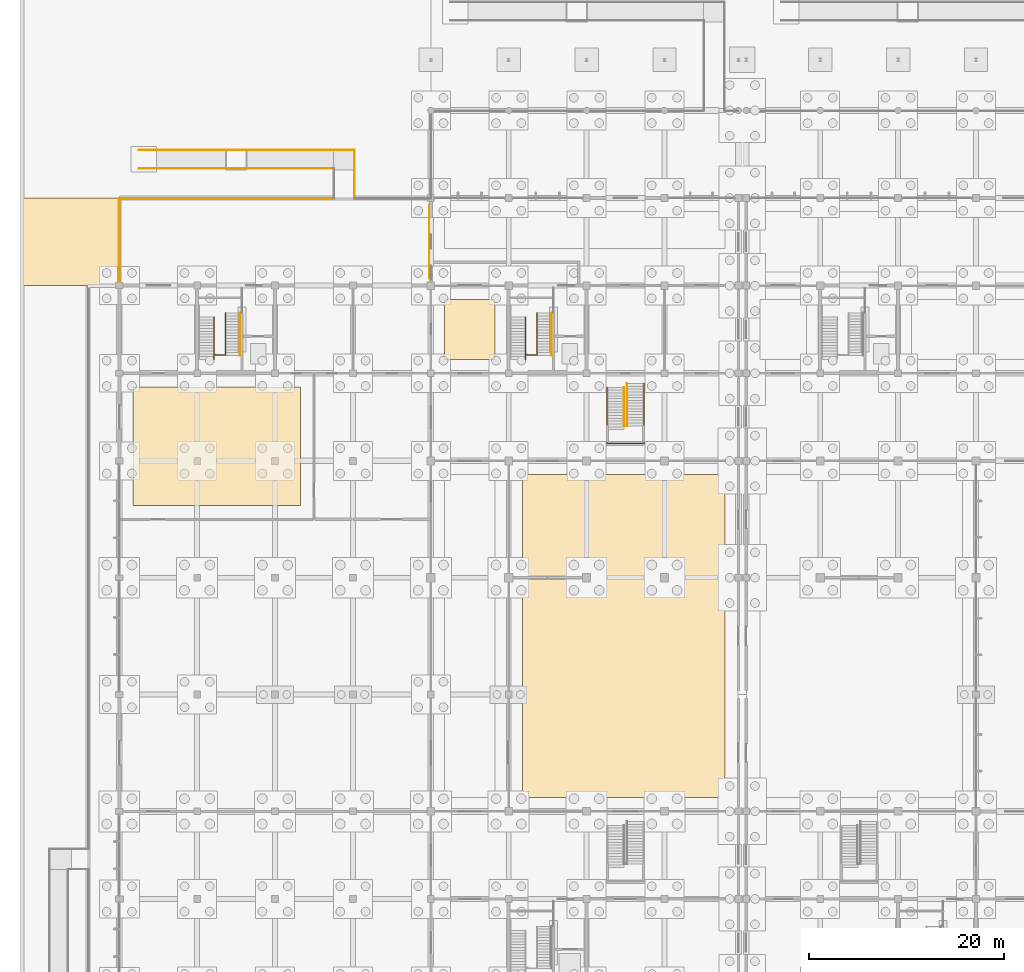
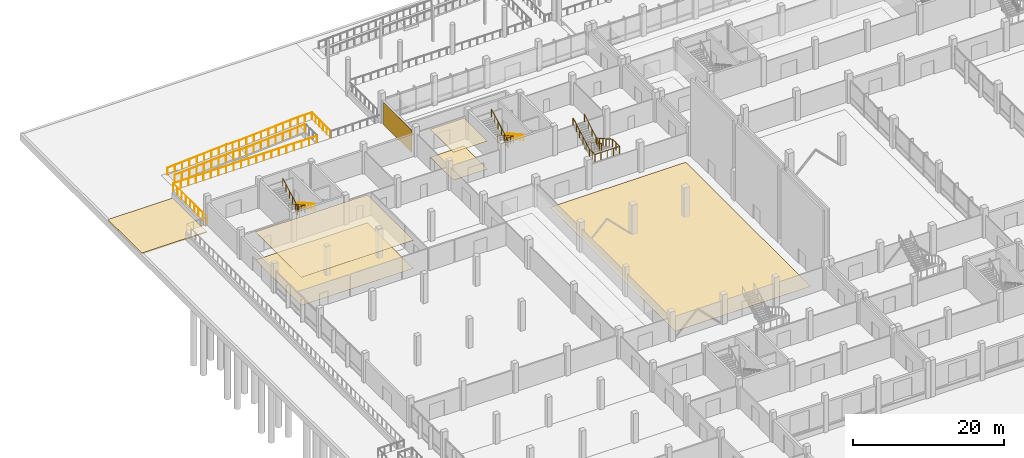
# One storey, part 64 of 72: 9 railings, 7 coverings.
"""IFC4 building model written with IfcOpenShell, lengths in metres."""

from ifc_helpers import new_model, si_unit, direction, frame, origin, origin_2d, place, context, subcontext, project, spatial, polyline, rectangle, circle, outline, extrude, material, layer, layer_set, type_object, element, save


model = new_model("IFC4")

# Units and contexts
model_context = context("Model", 3, precision=1e-05, world=origin(), true_north=direction((0.0, 1.0)))
body_context = subcontext(model_context, "Body", "Model", "MODEL_VIEW")
ifc_project = project(units=[si_unit("LENGTHUNIT", "METRE"), si_unit("AREAUNIT", "SQUARE_METRE"), si_unit("VOLUMEUNIT", "CUBIC_METRE"), si_unit("PLANEANGLEUNIT", "RADIAN"), si_unit("MASSUNIT", "GRAM", prefix="KILO"), si_unit("THERMODYNAMICTEMPERATUREUNIT", "KELVIN"), si_unit("POWERUNIT", "WATT")], contexts=[model_context])

# Site, building, storey
site_placement = place(None, origin())
site = spatial("IfcSite", under=ifc_project, at=site_placement, CompositionType="ELEMENT")
building_placement = place(site_placement, origin())
building = spatial("IfcBuilding", under=site, at=building_placement, Name="Kronsvod Quay Wholesale Market", CompositionType="ELEMENT")
storey_placement = place(building_placement, origin())
storey = spatial("IfcBuildingStorey", under=building, at=storey_placement, Name="L00", CompositionType="ELEMENT", Elevation=0.0)

# Coverings
ifc_material_1 = material(Name="Hygienic washable aluminium baffle ceiling", Category="aluminium")
ifc_layer_1 = layer(ifc_material_1, 0.034912109375)
ifc_layer_set_1 = layer_set([ifc_layer_1], Name="Hygienic washable aluminium baffle ceiling")
covering_type_1 = type_object("IfcCoveringType", Name="Cov_Ceil02", PredefinedType="CEILING", material=ifc_layer_set_1)
covering_1_placement = place(storey_placement, frame((0.0, 0.0, 4.534912109375)))
element("IfcCovering", 1, at=covering_1_placement, inside=storey, type_object=covering_type_1, Name="CLG-SP-L00-V3-05", PredefinedType="CEILING", context=body_context, shape_type="SweptSolid", body=[
    extrude(outline(polyline([(1.39990234375, 85.39990234375), (18.60009765625, 85.39990234375), (18.60009765625, 97.60009765625), (1.39990234375, 97.60009765625), (1.39990234375, 85.39990234375)])), origin(), (0.0, 0.0, 1.0), 0.03515625),
])
ifc_material_2 = material(Name="Moisture-resistant gypsum board ceiling")
ifc_layer_2 = layer(ifc_material_2, 0.02490234375)
ifc_layer_set_2 = layer_set([ifc_layer_2], Name="Moisture-resistant gypsum board ceiling")
covering_type_2 = type_object("IfcCoveringType", Name="Cov_Ceil03", PredefinedType="CEILING", material=ifc_layer_set_2)
covering_2_placement = place(storey_placement, frame((0.0, 0.0, 4.52490234375)))
element("IfcCovering", 2, at=covering_2_placement, inside=storey, type_object=covering_type_2, Name="CLG-SP-L00-V5-04", PredefinedType="CEILING", context=body_context, shape_type="SweptSolid", body=[
    extrude(outline(polyline([(33.39990234375, 100.39990234375), (38.60009765625, 100.39990234375), (38.60009765625, 106.60009765625), (33.39990234375, 106.60009765625), (33.39990234375, 100.39990234375)])), origin(), (0.0, 0.0, 1.0), 0.025146484375),
])
ifc_material_3 = material(Name="Anodised aluminium rainscreen cladding", Category="aluminium")
ifc_layer_3 = layer(ifc_material_3, 0.034912109375)
ifc_layer_set_3 = layer_set([ifc_layer_3], Name="Anodised aluminium rainscreen cladding")
covering_type_3 = type_object("IfcCoveringType", Name="Cov_FacadeCladding", PredefinedType="CLADDING", material=ifc_layer_set_3)
covering_3_placement = place(storey_placement, frame((31.83251953125, 112.5, 0.0), z_axis=(0.0, 0.0, 1.0), x_axis=(1.0, 0.0, 0.0)))
element("IfcCovering", 3, at=covering_3_placement, inside=storey, type_object=covering_type_3, Name="CLD-W-0", PredefinedType="CLADDING", context=body_context, shape_type="SweptSolid", body=[
    extrude(rectangle(XDim=0.034912109375, YDim=7.60009765625, at=origin_2d()), origin(), (0.0, 0.0, 1.0), 3.60009765625),
])
ifc_material_4 = material(Name="Heavy-duty polyurethane resin market screed")
ifc_layer_4 = layer(ifc_material_4, 0.02001953125)
ifc_layer_set_4 = layer_set([ifc_layer_4], Name="Heavy-duty polyurethane resin market screed")
covering_type_4 = type_object("IfcCoveringType", Name="Cov_Floor01", PredefinedType="FLOORING", material=ifc_layer_set_4)
covering_4_placement = place(storey_placement, origin())
element("IfcCovering", 4, at=covering_4_placement, inside=storey, type_object=covering_type_4, Name="FLR-SP-L00-V1-03B", PredefinedType="FLOORING", context=body_context, shape_type="SweptSolid", body=[
    extrude(outline(polyline([(41.39990234375, 55.39990234375), (62.199951171875, 55.39990234375), (62.199951171875, 88.60009765625), (41.39990234375, 88.60009765625), (41.39990234375, 55.39990234375)])), origin(), (0.0, 0.0, 1.0), 0.02001953125),
])
covering_5_placement = place(storey_placement, origin())
element("IfcCovering", 5, at=covering_5_placement, inside=storey, type_object=covering_type_4, Name="FLR-SP-L00-V5-04", PredefinedType="FLOORING", context=body_context, shape_type="SweptSolid", body=[
    extrude(outline(polyline([(33.39990234375, 100.39990234375), (38.60009765625, 100.39990234375), (38.60009765625, 106.60009765625), (33.39990234375, 106.60009765625), (33.39990234375, 100.39990234375)])), origin(), (0.0, 0.0, 1.0), 0.02001953125),
])
ifc_material_5 = material(Name="Antistatic laboratory vinyl flooring")
ifc_layer_5 = layer(ifc_material_5, 0.014892578125)
ifc_layer_set_5 = layer_set([ifc_layer_5], Name="Antistatic laboratory vinyl flooring")
covering_type_5 = type_object("IfcCoveringType", Name="Cov_Floor04", PredefinedType="FLOORING", material=ifc_layer_set_5)
covering_6_placement = place(storey_placement, origin())
element("IfcCovering", 6, at=covering_6_placement, inside=storey, type_object=covering_type_5, Name="FLR-SP-L00-V3-05", PredefinedType="FLOORING", context=body_context, shape_type="SweptSolid", body=[
    extrude(outline(polyline([(1.39990234375, 85.39990234375), (18.60009765625, 85.39990234375), (18.60009765625, 97.60009765625), (1.39990234375, 97.60009765625), (1.39990234375, 85.39990234375)])), origin(), (0.0, 0.0, 1.0), 0.014892578125),
])
ifc_material_6 = material(Name="Natural granite harbour quay paving", Category="masonry")
ifc_layer_6 = layer(ifc_material_6, 0.179931640625)
ifc_layer_set_6 = layer_set([ifc_layer_6], Name="Natural granite harbour quay paving")
covering_type_6 = type_object("IfcCoveringType", Name="Cov_SitePaving160", PredefinedType="USERDEFINED", material=ifc_layer_set_6)
covering_7_placement = place(storey_placement, frame((0.0, 0.0, -1.3798828125)))
element("IfcCovering", 7, at=covering_7_placement, inside=storey, type_object=covering_type_6, Name="PAV-APR-W2", ObjectType="PAVING", PredefinedType="USERDEFINED", context=body_context, shape_type="SweptSolid", body=[
    extrude(outline(polyline([(-10.0, 108.0), (0.0, 108.0), (0.0, 117.0), (-10.0, 117.0), (-10.0, 108.0)])), origin(), (0.0, 0.0, 1.0), 0.179931640625),
])

# Railings
ifc_material_7 = material(Name="Stainless steel", Category="steel")
railing_type_1 = type_object("IfcRailingType", Name="Railing_Guard1200", PredefinedType="GUARDRAIL", material=ifc_material_7)
railing_1_placement = place(storey_placement, frame((2.0, 121.949951171875, -1.199951171875)))
element("IfcRailing", 8, at=railing_1_placement, inside=storey, type_object=railing_type_1, Name="RMP-NW1-GRD1", PredefinedType="GUARDRAIL", context=body_context, shape_type="SweptSolid", body=[
    extrude(circle(Radius=0.02392578125, at=origin_2d()), frame((0.0, 0.0, 1.17578125), z_axis=(0.997786235602, 0.0, 0.066502842363), x_axis=(0.0, 1.0, 0.0)), (0.0, 0.0, 1.0), 9.02001953125),
    extrude(circle(Radius=0.02392578125, at=origin_2d()), frame((9.0, 0.0, 1.77587890625), z_axis=(1.0, 0.0, 0.0), x_axis=(0.0, 1.0, 0.0)), (0.0, 0.0, 1.0), 2.0),
    extrude(circle(Radius=0.02392578125, at=origin_2d()), frame((11.0, 0.0, 1.77587890625), z_axis=(0.997784439215, 0.0, 0.066529789268), x_axis=(0.0, 1.0, 0.0)), (0.0, 0.0, 1.0), 9.02001953125),
    extrude(circle(Radius=0.02392578125, at=origin_2d()), frame((20.0, 0.0, 2.3759765625), z_axis=(1.0, 0.0, 0.0), x_axis=(0.0, 1.0, 0.0)), (0.0, 0.0, 1.0), 2.14990234375),
    extrude(circle(Radius=0.02392578125, at=origin_2d()), frame((22.14990234375, 0.0, 2.3759765625), z_axis=(0.0, -1.0, 0.0), x_axis=(1.0, 0.0, 0.0)), (0.0, 0.0, 1.0), 4.89990234375),
    extrude(circle(Radius=0.02099609375, at=origin_2d()), origin(), (0.0, 0.0, 1.0), 1.15185546875),
    extrude(circle(Radius=0.02099609375, at=origin_2d()), frame((1.125, 0.0, 0.074951171875)), (0.0, 0.0, 1.0), 1.15185546875),
    extrude(circle(Radius=0.02099609375, at=origin_2d()), frame((2.25, 0.0, 0.14990234375)), (0.0, 0.0, 1.0), 1.15185546875),
    extrude(circle(Radius=0.02099609375, at=origin_2d()), frame((3.375, 0.0, 0.224853515625)), (0.0, 0.0, 1.0), 1.15185546875),
    extrude(circle(Radius=0.02099609375, at=origin_2d()), frame((4.5, 0.0, 0.2998046875)), (0.0, 0.0, 1.0), 1.15185546875),
    extrude(circle(Radius=0.02099609375, at=origin_2d()), frame((5.625, 0.0, 0.375)), (0.0, 0.0, 1.0), 1.15185546875),
    extrude(circle(Radius=0.02099609375, at=origin_2d()), frame((6.75, 0.0, 0.449951171875)), (0.0, 0.0, 1.0), 1.15185546875),
    extrude(circle(Radius=0.02099609375, at=origin_2d()), frame((7.875, 0.0, 0.52490234375)), (0.0, 0.0, 1.0), 1.15185546875),
    extrude(circle(Radius=0.02099609375, at=origin_2d()), frame((9.0, 0.0, 0.599853515625)), (0.0, 0.0, 1.0), 1.15185546875),
    extrude(circle(Radius=0.02099609375, at=origin_2d()), frame((10.0, 0.0, 0.599853515625)), (0.0, 0.0, 1.0), 1.15185546875),
    extrude(circle(Radius=0.02099609375, at=origin_2d()), frame((11.0, 0.0, 0.599853515625)), (0.0, 0.0, 1.0), 1.15185546875),
    extrude(circle(Radius=0.02099609375, at=origin_2d()), frame((12.125, 0.0, 0.6748046875)), (0.0, 0.0, 1.0), 1.15185546875),
    extrude(circle(Radius=0.02099609375, at=origin_2d()), frame((13.25, 0.0, 0.75)), (0.0, 0.0, 1.0), 1.15185546875),
    extrude(circle(Radius=0.02099609375, at=origin_2d()), frame((14.375, 0.0, 0.824951171875)), (0.0, 0.0, 1.0), 1.15185546875),
    extrude(circle(Radius=0.02099609375, at=origin_2d()), frame((15.5, 0.0, 0.89990234375)), (0.0, 0.0, 1.0), 1.15185546875),
    extrude(circle(Radius=0.02099609375, at=origin_2d()), frame((16.625, 0.0, 0.974853515625)), (0.0, 0.0, 1.0), 1.15185546875),
    extrude(circle(Radius=0.02099609375, at=origin_2d()), frame((17.75, 0.0, 1.0498046875)), (0.0, 0.0, 1.0), 1.15185546875),
    extrude(circle(Radius=0.02099609375, at=origin_2d()), frame((18.875, 0.0, 1.125)), (0.0, 0.0, 1.0), 1.15185546875),
    extrude(circle(Radius=0.02099609375, at=origin_2d()), frame((20.0, 0.0, 1.199951171875)), (0.0, 0.0, 1.0), 1.15185546875),
    extrude(circle(Radius=0.02099609375, at=origin_2d()), frame((21.074951171875, 0.0, 1.199951171875)), (0.0, 0.0, 1.0), 1.15185546875),
    extrude(circle(Radius=0.02099609375, at=origin_2d()), frame((22.14990234375, 0.0, 1.199951171875)), (0.0, 0.0, 1.0), 1.15185546875),
    extrude(circle(Radius=0.02099609375, at=origin_2d()), frame((22.14990234375, -0.97998046875, 1.199951171875)), (0.0, 0.0, 1.0), 1.15185546875),
    extrude(circle(Radius=0.02099609375, at=origin_2d()), frame((22.14990234375, -1.9599609375, 1.199951171875)), (0.0, 0.0, 1.0), 1.15185546875),
    extrude(circle(Radius=0.02099609375, at=origin_2d()), frame((22.14990234375, -2.93994140625, 1.199951171875)), (0.0, 0.0, 1.0), 1.15185546875),
    extrude(circle(Radius=0.02099609375, at=origin_2d()), frame((22.14990234375, -3.919921875, 1.199951171875)), (0.0, 0.0, 1.0), 1.15185546875),
    extrude(circle(Radius=0.02099609375, at=origin_2d()), frame((22.14990234375, -4.89990234375, 1.199951171875)), (0.0, 0.0, 1.0), 1.15185546875),
])
railing_2_placement = place(storey_placement, frame((2.0, 120.050048828125, -1.199951171875)))
element("IfcRailing", 9, at=railing_2_placement, inside=storey, type_object=railing_type_1, Name="RMP-NW1-GRD2", PredefinedType="GUARDRAIL", context=body_context, shape_type="SweptSolid", body=[
    extrude(circle(Radius=0.02392578125, at=origin_2d()), frame((0.0, 0.0, 1.17578125), z_axis=(0.997786235602, 0.0, 0.066502842363), x_axis=(0.0, 1.0, 0.0)), (0.0, 0.0, 1.0), 9.02001953125),
    extrude(circle(Radius=0.02392578125, at=origin_2d()), frame((9.0, 0.0, 1.77587890625), z_axis=(1.0, 0.0, 0.0), x_axis=(0.0, 1.0, 0.0)), (0.0, 0.0, 1.0), 2.0),
    extrude(circle(Radius=0.02392578125, at=origin_2d()), frame((11.0, 0.0, 1.77587890625), z_axis=(0.997784439215, 0.0, 0.066529789268), x_axis=(0.0, 1.0, 0.0)), (0.0, 0.0, 1.0), 9.02001953125),
    extrude(circle(Radius=0.02099609375, at=origin_2d()), origin(), (0.0, 0.0, 1.0), 1.15185546875),
    extrude(circle(Radius=0.02099609375, at=origin_2d()), frame((1.125, 0.0, 0.074951171875)), (0.0, 0.0, 1.0), 1.15185546875),
    extrude(circle(Radius=0.02099609375, at=origin_2d()), frame((2.25, 0.0, 0.14990234375)), (0.0, 0.0, 1.0), 1.15185546875),
    extrude(circle(Radius=0.02099609375, at=origin_2d()), frame((3.375, 0.0, 0.224853515625)), (0.0, 0.0, 1.0), 1.15185546875),
    extrude(circle(Radius=0.02099609375, at=origin_2d()), frame((4.5, 0.0, 0.2998046875)), (0.0, 0.0, 1.0), 1.15185546875),
    extrude(circle(Radius=0.02099609375, at=origin_2d()), frame((5.625, 0.0, 0.375)), (0.0, 0.0, 1.0), 1.15185546875),
    extrude(circle(Radius=0.02099609375, at=origin_2d()), frame((6.75, 0.0, 0.449951171875)), (0.0, 0.0, 1.0), 1.15185546875),
    extrude(circle(Radius=0.02099609375, at=origin_2d()), frame((7.875, 0.0, 0.52490234375)), (0.0, 0.0, 1.0), 1.15185546875),
    extrude(circle(Radius=0.02099609375, at=origin_2d()), frame((9.0, 0.0, 0.599853515625)), (0.0, 0.0, 1.0), 1.15185546875),
    extrude(circle(Radius=0.02099609375, at=origin_2d()), frame((10.0, 0.0, 0.599853515625)), (0.0, 0.0, 1.0), 1.15185546875),
    extrude(circle(Radius=0.02099609375, at=origin_2d()), frame((11.0, 0.0, 0.599853515625)), (0.0, 0.0, 1.0), 1.15185546875),
    extrude(circle(Radius=0.02099609375, at=origin_2d()), frame((12.125, 0.0, 0.6748046875)), (0.0, 0.0, 1.0), 1.15185546875),
    extrude(circle(Radius=0.02099609375, at=origin_2d()), frame((13.25, 0.0, 0.75)), (0.0, 0.0, 1.0), 1.15185546875),
    extrude(circle(Radius=0.02099609375, at=origin_2d()), frame((14.375, 0.0, 0.824951171875)), (0.0, 0.0, 1.0), 1.15185546875),
    extrude(circle(Radius=0.02099609375, at=origin_2d()), frame((15.5, 0.0, 0.89990234375)), (0.0, 0.0, 1.0), 1.15185546875),
    extrude(circle(Radius=0.02099609375, at=origin_2d()), frame((16.625, 0.0, 0.974853515625)), (0.0, 0.0, 1.0), 1.15185546875),
    extrude(circle(Radius=0.02099609375, at=origin_2d()), frame((17.75, 0.0, 1.0498046875)), (0.0, 0.0, 1.0), 1.15185546875),
    extrude(circle(Radius=0.02099609375, at=origin_2d()), frame((18.875, 0.0, 1.125)), (0.0, 0.0, 1.0), 1.15185546875),
    extrude(circle(Radius=0.02099609375, at=origin_2d()), frame((20.0, 0.0, 1.199951171875)), (0.0, 0.0, 1.0), 1.15185546875),
])
railing_3_placement = place(storey_placement, frame((0.0, 108.0, 0.0)))
element("IfcRailing", 10, at=railing_3_placement, inside=storey, type_object=railing_type_1, Name="GRD-L00-NW", PredefinedType="GUARDRAIL", context=body_context, shape_type="SweptSolid", body=[
    extrude(circle(Radius=0.02392578125, at=origin_2d()), frame((0.0, 0.0, 1.17578125), z_axis=(0.0, 1.0, 0.0), x_axis=(-1.0, 0.0, 0.0)), (0.0, 0.0, 1.0), 8.949951171875),
    extrude(circle(Radius=0.02392578125, at=origin_2d()), frame((0.0, 8.949951171875, 1.17578125), z_axis=(1.0, 0.0, 0.0), x_axis=(0.0, 1.0, 0.0)), (0.0, 0.0, 1.0), 22.0),
    extrude(circle(Radius=0.02099609375, at=origin_2d()), origin(), (0.0, 0.0, 1.0), 1.15185546875),
    extrude(circle(Radius=0.02099609375, at=origin_2d()), frame((0.0, 1.11865234375, 0.0)), (0.0, 0.0, 1.0), 1.15185546875),
    extrude(circle(Radius=0.02099609375, at=origin_2d()), frame((0.0, 2.237548828125, 0.0)), (0.0, 0.0, 1.0), 1.15185546875),
    extrude(circle(Radius=0.02099609375, at=origin_2d()), frame((0.0, 3.356201171875, 0.0)), (0.0, 0.0, 1.0), 1.15185546875),
    extrude(circle(Radius=0.02099609375, at=origin_2d()), frame((0.0, 4.47509765625, 0.0)), (0.0, 0.0, 1.0), 1.15185546875),
    extrude(circle(Radius=0.02099609375, at=origin_2d()), frame((0.0, 5.59375, 0.0)), (0.0, 0.0, 1.0), 1.15185546875),
    extrude(circle(Radius=0.02099609375, at=origin_2d()), frame((0.0, 6.71240234375, 0.0)), (0.0, 0.0, 1.0), 1.15185546875),
    extrude(circle(Radius=0.02099609375, at=origin_2d()), frame((0.0, 7.831298828125, 0.0)), (0.0, 0.0, 1.0), 1.15185546875),
    extrude(circle(Radius=0.02099609375, at=origin_2d()), frame((0.0, 8.949951171875, 0.0)), (0.0, 0.0, 1.0), 1.15185546875),
    extrude(circle(Radius=0.02099609375, at=origin_2d()), frame((1.157958984375, 8.949951171875, 0.0)), (0.0, 0.0, 1.0), 1.15185546875),
    extrude(circle(Radius=0.02099609375, at=origin_2d()), frame((2.315673828125, 8.949951171875, 0.0)), (0.0, 0.0, 1.0), 1.15185546875),
    extrude(circle(Radius=0.02099609375, at=origin_2d()), frame((3.4736328125, 8.949951171875, 0.0)), (0.0, 0.0, 1.0), 1.15185546875),
    extrude(circle(Radius=0.02099609375, at=origin_2d()), frame((4.631591796875, 8.949951171875, 0.0)), (0.0, 0.0, 1.0), 1.15185546875),
    extrude(circle(Radius=0.02099609375, at=origin_2d()), frame((5.78955078125, 8.949951171875, 0.0)), (0.0, 0.0, 1.0), 1.15185546875),
    extrude(circle(Radius=0.02099609375, at=origin_2d()), frame((6.947265625, 8.949951171875, 0.0)), (0.0, 0.0, 1.0), 1.15185546875),
    extrude(circle(Radius=0.02099609375, at=origin_2d()), frame((8.105224609375, 8.949951171875, 0.0)), (0.0, 0.0, 1.0), 1.15185546875),
    extrude(circle(Radius=0.02099609375, at=origin_2d()), frame((9.26318359375, 8.949951171875, 0.0)), (0.0, 0.0, 1.0), 1.15185546875),
    extrude(circle(Radius=0.02099609375, at=origin_2d()), frame((10.421142578125, 8.949951171875, 0.0)), (0.0, 0.0, 1.0), 1.15185546875),
    extrude(circle(Radius=0.02099609375, at=origin_2d()), frame((11.578857421875, 8.949951171875, 0.0)), (0.0, 0.0, 1.0), 1.15185546875),
    extrude(circle(Radius=0.02099609375, at=origin_2d()), frame((12.73681640625, 8.949951171875, 0.0)), (0.0, 0.0, 1.0), 1.15185546875),
    extrude(circle(Radius=0.02099609375, at=origin_2d()), frame((13.894775390625, 8.949951171875, 0.0)), (0.0, 0.0, 1.0), 1.15185546875),
    extrude(circle(Radius=0.02099609375, at=origin_2d()), frame((15.052734375, 8.949951171875, 0.0)), (0.0, 0.0, 1.0), 1.15185546875),
    extrude(circle(Radius=0.02099609375, at=origin_2d()), frame((16.21044921875, 8.949951171875, 0.0)), (0.0, 0.0, 1.0), 1.15185546875),
    extrude(circle(Radius=0.02099609375, at=origin_2d()), frame((17.368408203125, 8.949951171875, 0.0)), (0.0, 0.0, 1.0), 1.15185546875),
    extrude(circle(Radius=0.02099609375, at=origin_2d()), frame((18.5263671875, 8.949951171875, 0.0)), (0.0, 0.0, 1.0), 1.15185546875),
    extrude(circle(Radius=0.02099609375, at=origin_2d()), frame((19.684326171875, 8.949951171875, 0.0)), (0.0, 0.0, 1.0), 1.15185546875),
    extrude(circle(Radius=0.02099609375, at=origin_2d()), frame((20.842041015625, 8.949951171875, 0.0)), (0.0, 0.0, 1.0), 1.15185546875),
    extrude(circle(Radius=0.02099609375, at=origin_2d()), frame((22.0, 8.949951171875, 0.0)), (0.0, 0.0, 1.0), 1.15185546875),
])
railing_4_placement = place(storey_placement, frame((10.909912109375, 105.179931640625, 0.0)))
element("IfcRailing", 11, at=railing_4_placement, inside=storey, type_object=railing_type_1, Name="ST02-L00-SLOT-GRD", PredefinedType="GUARDRAIL", context=body_context, shape_type="SweptSolid", body=[
    extrude(circle(Radius=0.02392578125, at=origin_2d()), frame((0.0, 0.0, 1.17578125), z_axis=(0.0, -0.873208496407, 0.487346818809), x_axis=(1.0, 0.0, 0.0)), (0.0, 0.0, 1.0), 4.92431640625),
    extrude(circle(Radius=0.02392578125, at=origin_2d()), frame((0.0, -4.300048828125, 3.57568359375), z_axis=(-1.0, 0.0, 0.0), x_axis=(0.0, -1.0, 0.0)), (0.0, 0.0, 1.0), 1.159912109375),
    extrude(circle(Radius=0.02392578125, at=origin_2d()), frame((-1.159912109375, -4.300048828125, 3.57568359375), z_axis=(0.0, -1.0, 0.0), x_axis=(1.0, 0.0, 0.0)), (0.0, 0.0, 1.0), 0.469970703125),
    extrude(circle(Radius=0.02392578125, at=origin_2d()), frame((-1.159912109375, -4.77001953125, 3.57568359375), z_axis=(0.0, 0.875569800069, 0.483091632309), x_axis=(-1.0, 0.0, 0.0)), (0.0, 0.0, 1.0), 4.96826171875),
    extrude(circle(Radius=0.02099609375, at=origin_2d()), origin(), (0.0, 0.0, 1.0), 1.15185546875),
    extrude(circle(Radius=0.02099609375, at=origin_2d()), frame((0.0, -0.860107421875, 0.47998046875)), (0.0, 0.0, 1.0), 1.15185546875),
    extrude(circle(Radius=0.02099609375, at=origin_2d()), frame((0.0, -1.719970703125, 0.9599609375)), (0.0, 0.0, 1.0), 1.15185546875),
    extrude(circle(Radius=0.02099609375, at=origin_2d()), frame((0.0, -2.580078125, 1.43994140625)), (0.0, 0.0, 1.0), 1.15185546875),
    extrude(circle(Radius=0.02099609375, at=origin_2d()), frame((0.0, -3.43994140625, 1.919921875)), (0.0, 0.0, 1.0), 1.15185546875),
    extrude(circle(Radius=0.02099609375, at=origin_2d()), frame((0.0, -4.300048828125, 2.39990234375)), (0.0, 0.0, 1.0), 1.15185546875),
    extrude(circle(Radius=0.02099609375, at=origin_2d()), frame((-1.159912109375, -4.300048828125, 2.39990234375)), (0.0, 0.0, 1.0), 1.15185546875),
    extrude(circle(Radius=0.02099609375, at=origin_2d()), frame((-1.159912109375, -4.77001953125, 2.39990234375)), (0.0, 0.0, 1.0), 1.15185546875),
    extrude(circle(Radius=0.02099609375, at=origin_2d()), frame((-1.159912109375, -3.89990234375, 2.8798828125)), (0.0, 0.0, 1.0), 1.15185546875),
    extrude(circle(Radius=0.02099609375, at=origin_2d()), frame((-1.159912109375, -3.030029296875, 3.35986328125)), (0.0, 0.0, 1.0), 1.15185546875),
    extrude(circle(Radius=0.02099609375, at=origin_2d()), frame((-1.159912109375, -2.159912109375, 3.840087890625)), (0.0, 0.0, 1.0), 1.15185546875),
    extrude(circle(Radius=0.02099609375, at=origin_2d()), frame((-1.159912109375, -1.2900390625, 4.320068359375)), (0.0, 0.0, 1.0), 1.15185546875),
    extrude(circle(Radius=0.02099609375, at=origin_2d()), frame((-1.159912109375, -0.419921875, 4.800048828125)), (0.0, 0.0, 1.0), 1.15185546875),
])
railing_5_placement = place(storey_placement, frame((42.909912109375, 105.179931640625, 0.0)))
element("IfcRailing", 12, at=railing_5_placement, inside=storey, type_object=railing_type_1, Name="ST07-L00-SLOT-GRD", PredefinedType="GUARDRAIL", context=body_context, shape_type="SweptSolid", body=[
    extrude(circle(Radius=0.02392578125, at=origin_2d()), frame((0.0, 0.0, 1.17578125), z_axis=(0.0, -0.873208496407, 0.487346818809), x_axis=(1.0, 0.0, 0.0)), (0.0, 0.0, 1.0), 4.92431640625),
    extrude(circle(Radius=0.02392578125, at=origin_2d()), frame((0.0, -4.300048828125, 3.57568359375), z_axis=(-1.0, 0.0, 0.0), x_axis=(0.0, -1.0, 0.0)), (0.0, 0.0, 1.0), 1.159912109375),
    extrude(circle(Radius=0.02392578125, at=origin_2d()), frame((-1.159912109375, -4.300048828125, 3.57568359375), z_axis=(0.0, -1.0, 0.0), x_axis=(1.0, 0.0, 0.0)), (0.0, 0.0, 1.0), 0.469970703125),
    extrude(circle(Radius=0.02392578125, at=origin_2d()), frame((-1.159912109375, -4.77001953125, 3.57568359375), z_axis=(0.0, 0.875569800069, 0.483091632309), x_axis=(-1.0, 0.0, 0.0)), (0.0, 0.0, 1.0), 4.96826171875),
    extrude(circle(Radius=0.02099609375, at=origin_2d()), origin(), (0.0, 0.0, 1.0), 1.15185546875),
    extrude(circle(Radius=0.02099609375, at=origin_2d()), frame((0.0, -0.860107421875, 0.47998046875)), (0.0, 0.0, 1.0), 1.15185546875),
    extrude(circle(Radius=0.02099609375, at=origin_2d()), frame((0.0, -1.719970703125, 0.9599609375)), (0.0, 0.0, 1.0), 1.15185546875),
    extrude(circle(Radius=0.02099609375, at=origin_2d()), frame((0.0, -2.580078125, 1.43994140625)), (0.0, 0.0, 1.0), 1.15185546875),
    extrude(circle(Radius=0.02099609375, at=origin_2d()), frame((0.0, -3.43994140625, 1.919921875)), (0.0, 0.0, 1.0), 1.15185546875),
    extrude(circle(Radius=0.02099609375, at=origin_2d()), frame((0.0, -4.300048828125, 2.39990234375)), (0.0, 0.0, 1.0), 1.15185546875),
    extrude(circle(Radius=0.02099609375, at=origin_2d()), frame((-1.159912109375, -4.300048828125, 2.39990234375)), (0.0, 0.0, 1.0), 1.15185546875),
    extrude(circle(Radius=0.02099609375, at=origin_2d()), frame((-1.159912109375, -4.77001953125, 2.39990234375)), (0.0, 0.0, 1.0), 1.15185546875),
    extrude(circle(Radius=0.02099609375, at=origin_2d()), frame((-1.159912109375, -3.89990234375, 2.8798828125)), (0.0, 0.0, 1.0), 1.15185546875),
    extrude(circle(Radius=0.02099609375, at=origin_2d()), frame((-1.159912109375, -3.030029296875, 3.35986328125)), (0.0, 0.0, 1.0), 1.15185546875),
    extrude(circle(Radius=0.02099609375, at=origin_2d()), frame((-1.159912109375, -2.159912109375, 3.840087890625)), (0.0, 0.0, 1.0), 1.15185546875),
    extrude(circle(Radius=0.02099609375, at=origin_2d()), frame((-1.159912109375, -1.2900390625, 4.320068359375)), (0.0, 0.0, 1.0), 1.15185546875),
    extrude(circle(Radius=0.02099609375, at=origin_2d()), frame((-1.159912109375, -0.419921875, 4.800048828125)), (0.0, 0.0, 1.0), 1.15185546875),
])
railing_6_placement = place(storey_placement, frame((52.14990234375, 97.949951171875, 0.0)))
element("IfcRailing", 13, at=railing_6_placement, inside=storey, type_object=railing_type_1, Name="ST-CON-W-SLOT-GRD", PredefinedType="GUARDRAIL", context=body_context, shape_type="SweptSolid", body=[
    extrude(circle(Radius=0.02392578125, at=origin_2d()), frame((0.0, 0.0, 1.17578125), z_axis=(0.0, -0.875579117544, 0.483074744652), x_axis=(1.0, 0.0, 0.0)), (0.0, 0.0, 1.0), 4.968017578125),
    extrude(circle(Radius=0.02392578125, at=origin_2d()), frame((0.0, -4.349853515625, 3.57568359375), z_axis=(-1.0, 0.0, 0.0), x_axis=(0.0, -1.0, 0.0)), (0.0, 0.0, 1.0), 0.2998046875),
    extrude(circle(Radius=0.02392578125, at=origin_2d()), frame((-0.2998046875, -4.349853515625, 3.57568359375), z_axis=(0.0, 0.855181543025, 0.518328591213), x_axis=(-1.0, 0.0, 0.0)), (0.0, 0.0, 1.0), 4.630615234375),
    extrude(circle(Radius=0.02099609375, at=origin_2d()), origin(), (0.0, 0.0, 1.0), 1.15185546875),
    extrude(circle(Radius=0.02099609375, at=origin_2d()), frame((0.0, -0.869873046875, 0.47998046875)), (0.0, 0.0, 1.0), 1.15185546875),
    extrude(circle(Radius=0.02099609375, at=origin_2d()), frame((0.0, -1.739990234375, 0.9599609375)), (0.0, 0.0, 1.0), 1.15185546875),
    extrude(circle(Radius=0.02099609375, at=origin_2d()), frame((0.0, -2.60986328125, 1.43994140625)), (0.0, 0.0, 1.0), 1.15185546875),
    extrude(circle(Radius=0.02099609375, at=origin_2d()), frame((0.0, -3.47998046875, 1.919921875)), (0.0, 0.0, 1.0), 1.15185546875),
    extrude(circle(Radius=0.02099609375, at=origin_2d()), frame((0.0, -4.349853515625, 2.39990234375)), (0.0, 0.0, 1.0), 1.15185546875),
    extrude(circle(Radius=0.02099609375, at=origin_2d()), frame((-0.2998046875, -4.349853515625, 2.39990234375)), (0.0, 0.0, 1.0), 1.15185546875),
    extrude(circle(Radius=0.02099609375, at=origin_2d()), frame((-0.2998046875, -3.35986328125, 3.0)), (0.0, 0.0, 1.0), 1.15185546875),
    extrude(circle(Radius=0.02099609375, at=origin_2d()), frame((-0.2998046875, -2.369873046875, 3.60009765625)), (0.0, 0.0, 1.0), 1.15185546875),
    extrude(circle(Radius=0.02099609375, at=origin_2d()), frame((-0.2998046875, -1.3798828125, 4.199951171875)), (0.0, 0.0, 1.0), 1.15185546875),
    extrude(circle(Radius=0.02099609375, at=origin_2d()), frame((-0.2998046875, -0.389892578125, 4.800048828125)), (0.0, 0.0, 1.0), 1.15185546875),
])
railing_7_placement = place(storey_placement, frame((53.89990234375, 97.949951171875, 0.0)))
element("IfcRailing", 14, at=railing_7_placement, inside=storey, type_object=railing_type_1, Name="ST-CON-W-OUT-GRD", PredefinedType="GUARDRAIL", context=body_context, shape_type="SweptSolid", body=[
    extrude(circle(Radius=0.02392578125, at=origin_2d()), frame((0.0, 0.0, 1.17578125), z_axis=(0.0, -0.872724433274, 0.488213133342), x_axis=(1.0, 0.0, 0.0)), (0.0, 0.0, 1.0), 4.915771484375),
    extrude(circle(Radius=0.02392578125, at=origin_2d()), frame((0.0, -4.2900390625, 3.57568359375), z_axis=(0.0, -1.0, 0.0), x_axis=(1.0, 0.0, 0.0)), (0.0, 0.0, 1.0), 1.8798828125),
    extrude(circle(Radius=0.02392578125, at=origin_2d()), frame((0.0, -6.169921875, 3.57568359375), z_axis=(-1.0, 0.0, 0.0), x_axis=(0.0, -1.0, 0.0)), (0.0, 0.0, 1.0), 3.7998046875),
    extrude(circle(Radius=0.02392578125, at=origin_2d()), frame((-3.7998046875, -6.169921875, 3.57568359375), z_axis=(0.0, 1.0, 0.0), x_axis=(-1.0, 0.0, 0.0)), (0.0, 0.0, 1.0), 1.429931640625),
    extrude(circle(Radius=0.02392578125, at=origin_2d()), frame((-3.7998046875, -4.739990234375, 3.57568359375), z_axis=(0.0, 0.875569800069, 0.483091632309), x_axis=(-1.0, 0.0, 0.0)), (0.0, 0.0, 1.0), 4.96826171875),
    extrude(circle(Radius=0.02099609375, at=origin_2d()), origin(), (0.0, 0.0, 1.0), 1.15185546875),
    extrude(circle(Radius=0.02099609375, at=origin_2d()), frame((0.0, -0.85791015625, 0.47998046875)), (0.0, 0.0, 1.0), 1.15185546875),
    extrude(circle(Radius=0.02099609375, at=origin_2d()), frame((0.0, -1.716064453125, 0.9599609375)), (0.0, 0.0, 1.0), 1.15185546875),
    extrude(circle(Radius=0.02099609375, at=origin_2d()), frame((0.0, -2.573974609375, 1.43994140625)), (0.0, 0.0, 1.0), 1.15185546875),
    extrude(circle(Radius=0.02099609375, at=origin_2d()), frame((0.0, -3.43212890625, 1.919921875)), (0.0, 0.0, 1.0), 1.15185546875),
    extrude(circle(Radius=0.02099609375, at=origin_2d()), frame((0.0, -4.2900390625, 2.39990234375)), (0.0, 0.0, 1.0), 1.15185546875),
    extrude(circle(Radius=0.02099609375, at=origin_2d()), frame((0.0, -5.22998046875, 2.39990234375)), (0.0, 0.0, 1.0), 1.15185546875),
    extrude(circle(Radius=0.02099609375, at=origin_2d()), frame((0.0, -6.169921875, 2.39990234375)), (0.0, 0.0, 1.0), 1.15185546875),
    extrude(circle(Radius=0.02099609375, at=origin_2d()), frame((-0.949951171875, -6.169921875, 2.39990234375)), (0.0, 0.0, 1.0), 1.15185546875),
    extrude(circle(Radius=0.02099609375, at=origin_2d()), frame((-1.89990234375, -6.169921875, 2.39990234375)), (0.0, 0.0, 1.0), 1.15185546875),
    extrude(circle(Radius=0.02099609375, at=origin_2d()), frame((-2.849853515625, -6.169921875, 2.39990234375)), (0.0, 0.0, 1.0), 1.15185546875),
    extrude(circle(Radius=0.02099609375, at=origin_2d()), frame((-3.7998046875, -6.169921875, 2.39990234375)), (0.0, 0.0, 1.0), 1.15185546875),
    extrude(circle(Radius=0.02099609375, at=origin_2d()), frame((-3.7998046875, -5.455078125, 2.39990234375)), (0.0, 0.0, 1.0), 1.15185546875),
    extrude(circle(Radius=0.02099609375, at=origin_2d()), frame((-3.7998046875, -4.739990234375, 2.39990234375)), (0.0, 0.0, 1.0), 1.15185546875),
    extrude(circle(Radius=0.02099609375, at=origin_2d()), frame((-3.7998046875, -3.869873046875, 2.8798828125)), (0.0, 0.0, 1.0), 1.15185546875),
    extrude(circle(Radius=0.02099609375, at=origin_2d()), frame((-3.7998046875, -3.0, 3.35986328125)), (0.0, 0.0, 1.0), 1.15185546875),
    extrude(circle(Radius=0.02099609375, at=origin_2d()), frame((-3.7998046875, -2.1298828125, 3.840087890625)), (0.0, 0.0, 1.0), 1.15185546875),
    extrude(circle(Radius=0.02099609375, at=origin_2d()), frame((-3.7998046875, -1.260009765625, 4.320068359375)), (0.0, 0.0, 1.0), 1.15185546875),
    extrude(circle(Radius=0.02099609375, at=origin_2d()), frame((-3.7998046875, -0.389892578125, 4.800048828125)), (0.0, 0.0, 1.0), 1.15185546875),
])
ifc_material_8 = material(Name="Stainless steel", Category="steel")
railing_type_2 = type_object("IfcRailingType", Name="Railing_Handrail900", PredefinedType="HANDRAIL", material=ifc_material_8)
for number, where, name in (
    (15, (12.3798828125, 105.179931640625, 0.0), "ST02-L00-HDR"),
    (16, (44.3798828125, 105.179931640625, 0.0), "ST07-L00-HDR"),
):
    element("IfcRailing", number, at=place(storey_placement, frame(where)), inside=storey, type_object=railing_type_2, Name=name, PredefinedType="HANDRAIL", context=body_context, shape_type="SweptSolid", body=[
        extrude(circle(Radius=0.02392578125, at=origin_2d()), frame((0.0, 0.0, 0.8759765625), z_axis=(0.0, -0.875579117544, 0.483074744652), x_axis=(1.0, 0.0, 0.0)), (0.0, 0.0, 1.0), 4.968017578125),
        extrude(circle(Radius=0.02099609375, at=origin_2d()), origin(), (0.0, 0.0, 1.0), 0.851806640625),
        extrude(circle(Radius=0.02099609375, at=origin_2d()), frame((0.0, -0.869873046875, 0.47998046875)), (0.0, 0.0, 1.0), 0.851806640625),
        extrude(circle(Radius=0.02099609375, at=origin_2d()), frame((0.0, -1.739990234375, 0.9599609375)), (0.0, 0.0, 1.0), 0.851806640625),
        extrude(circle(Radius=0.02099609375, at=origin_2d()), frame((0.0, -2.60986328125, 1.43994140625)), (0.0, 0.0, 1.0), 0.851806640625),
        extrude(circle(Radius=0.02099609375, at=origin_2d()), frame((0.0, -3.47998046875, 1.919921875)), (0.0, 0.0, 1.0), 0.851806640625),
        extrude(circle(Radius=0.02099609375, at=origin_2d()), frame((0.0, -4.349853515625, 2.39990234375)), (0.0, 0.0, 1.0), 0.851806640625),
    ])

save(model, "model.ifc")
